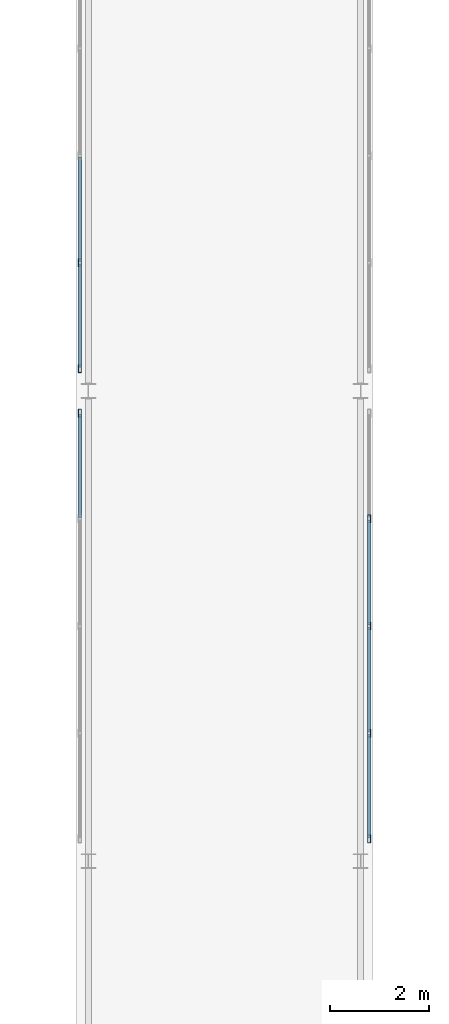
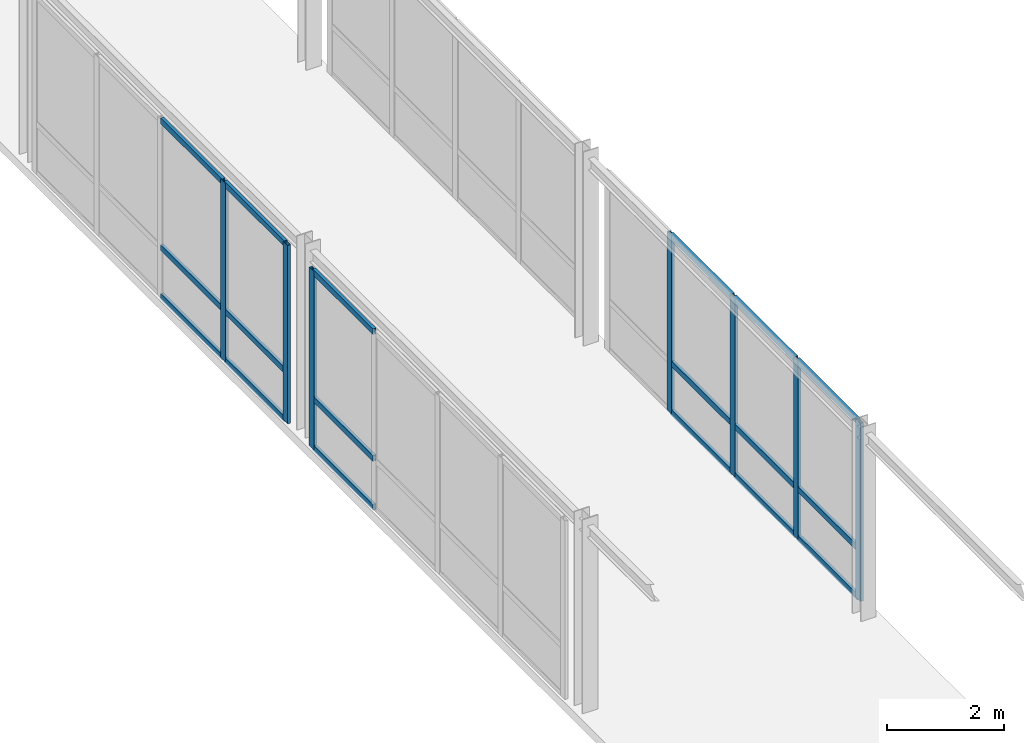
# One storey, part 42 of 165: 25 members, 3 elements without a shape of their own.
"""IFC4 building model written with IfcOpenShell, lengths in metres."""

from ifc_helpers import new_model, si_unit, direction, frame, origin, origin_2d, place, context, subcontext, project, spatial, hollow_rectangle, extrude, material, layer, layer_set, material_profile, profile_set, type_object, element, aggregate, save


model = new_model("IFC4")

# Units and contexts
model_context = context("Model", 3, precision=1e-05, world=origin(), true_north=direction((0.0, 1.0)))
body_context = subcontext(model_context, "Body", "Model", "MODEL_VIEW")
ifc_project = project(units=[si_unit("LENGTHUNIT", "METRE"), si_unit("AREAUNIT", "SQUARE_METRE"), si_unit("VOLUMEUNIT", "CUBIC_METRE"), si_unit("PLANEANGLEUNIT", "RADIAN"), si_unit("MASSUNIT", "GRAM", prefix="KILO")], contexts=[model_context])

# Site, building, storey
site_placement = place(None, origin())
site = spatial("IfcSite", under=ifc_project, at=site_placement, CompositionType="ELEMENT")
building_placement = place(site_placement, origin())
building = spatial("IfcBuilding", under=site, at=building_placement, Name="Montecoro Central Library", CompositionType="ELEMENT")
storey_placement = place(building_placement, frame((0.0, 0.0, 5.10009765625)))
storey = spatial("IfcBuildingStorey", under=building, at=storey_placement, Name="L01", CompositionType="ELEMENT", Elevation=5.10009765625)

# Curtain wall, member
ifc_material_1 = material(Name="Bronze-anodised aluminium and low-E glazing", Category="aluminium")
ifc_layer_1 = layer(ifc_material_1, 0.159912109375)
ifc_layer_set_1 = layer_set([ifc_layer_1], Name="Bronze-anodised aluminium and low-E glazing")
curtain_wall_type_1 = type_object("IfcCurtainWallType", Name="CWT-079", PredefinedType="NOTDEFINED", material=ifc_layer_set_1)
curtain_wall_1_placement = place(storey_placement, origin())
curtain_wall_1 = element("IfcCurtainWall", 1, at=curtain_wall_1_placement, inside=storey, type_object=curtain_wall_type_1, Name="BR-W-L01-CW-W1", PredefinedType="NOTDEFINED")
ifc_material_2 = material(Name="Bronze-anodised aluminium", Category="aluminium")
ifc_material_profile_1 = material_profile(ifc_material_2, hollow_rectangle(XDim=0.06005859375, YDim=0.159912109375, WallThickness=0.00390625, at=origin_2d()), Name="CWM 160x60x4.0")
ifc_profile_set_1 = profile_set([ifc_material_profile_1], Name="Bronze-anodised aluminium")
member_type_1 = type_object("IfcMemberType", Name="CWM-BRZ-60", PredefinedType="MULLION", material=ifc_profile_set_1)
member_1_placement = place(storey_placement, frame((24.8798828125, 53.949951171875, 0.0), z_axis=(0.0, 0.0, 1.0), x_axis=(-1.0, 0.0, 0.0)))
member_1 = element("IfcMember", 2, at=member_1_placement, type_object=member_type_1, Name="CW-079 mullion 5", PredefinedType="MULLION", context=body_context, shape_type="SweptSolid", body=[
    extrude(hollow_rectangle(XDim=0.06005859375, YDim=0.159912109375, WallThickness=0.00390625, at=origin_2d()), origin(), (0.0, 0.0, 1.0), 3.72998046875),
])

# Curtain wall, members
ifc_layer_2 = layer(ifc_material_1, 0.159912109375)
ifc_layer_set_2 = layer_set([ifc_layer_2], Name="Bronze-anodised aluminium and low-E glazing")
curtain_wall_type_2 = type_object("IfcCurtainWallType", Name="CWT-080", PredefinedType="NOTDEFINED", material=ifc_layer_set_2)
curtain_wall_2_placement = place(storey_placement, origin())
curtain_wall_2 = element("IfcCurtainWall", 3, at=curtain_wall_2_placement, inside=storey, type_object=curtain_wall_type_2, Name="BR-W-L01-CW-W2", PredefinedType="NOTDEFINED")
member_2_placement = place(storey_placement, frame((24.8798828125, 54.85009765625, 0.0), z_axis=(0.0, 0.0, 1.0), x_axis=(-1.0, 0.0, 0.0)))
member_2 = element("IfcMember", 4, at=member_2_placement, type_object=member_type_1, Name="CW-080 mullion 1", PredefinedType="MULLION", context=body_context, shape_type="SweptSolid", body=[
    extrude(hollow_rectangle(XDim=0.06005859375, YDim=0.159912109375, WallThickness=0.00390625, at=origin_2d()), origin(), (0.0, 0.0, 1.0), 3.72998046875),
])
member_3_placement = place(storey_placement, frame((24.8798828125, 56.985107421875, 0.0), z_axis=(0.0, 0.0, 1.0), x_axis=(-1.0, 0.0, 0.0)))
member_3 = element("IfcMember", 5, at=member_3_placement, type_object=member_type_1, Name="CW-080 mullion 2", PredefinedType="MULLION", context=body_context, shape_type="SweptSolid", body=[
    extrude(hollow_rectangle(XDim=0.06005859375, YDim=0.159912109375, WallThickness=0.00390625, at=origin_2d()), origin(), (0.0, 0.0, 1.0), 3.72998046875),
])

curtain_wall_3_placement = place(storey_placement, origin())
curtain_wall_3 = element("IfcCurtainWall", 6, at=curtain_wall_3_placement, inside=storey, type_object=curtain_wall_type_1, Name="BR-W-L01-CW-E1", PredefinedType="NOTDEFINED")
member_4_placement = place(storey_placement, frame((30.719970703125, 45.35009765625, 0.0), z_axis=(0.0, 0.0, 1.0), x_axis=(-1.0, 0.0, 0.0)))
member_4 = element("IfcMember", 7, at=member_4_placement, type_object=member_type_1, Name="CW-079 mullion 1", PredefinedType="MULLION", context=body_context, shape_type="SweptSolid", body=[
    extrude(hollow_rectangle(XDim=0.06005859375, YDim=0.159912109375, WallThickness=0.00390625, at=origin_2d()), origin(), (0.0, 0.0, 1.0), 3.72998046875),
])
member_5_placement = place(storey_placement, frame((30.719970703125, 47.485107421875, 0.0), z_axis=(0.0, 0.0, 1.0), x_axis=(-1.0, 0.0, 0.0)))
member_5 = element("IfcMember", 8, at=member_5_placement, type_object=member_type_1, Name="CW-079 mullion 2", PredefinedType="MULLION", context=body_context, shape_type="SweptSolid", body=[
    extrude(hollow_rectangle(XDim=0.06005859375, YDim=0.159912109375, WallThickness=0.00390625, at=origin_2d()), origin(), (0.0, 0.0, 1.0), 3.72998046875),
])
member_6_placement = place(storey_placement, frame((30.719970703125, 49.64990234375, 0.0), z_axis=(0.0, 0.0, 1.0), x_axis=(-1.0, 0.0, 0.0)))
member_6 = element("IfcMember", 9, at=member_6_placement, type_object=member_type_1, Name="CW-079 mullion 3", PredefinedType="MULLION", context=body_context, shape_type="SweptSolid", body=[
    extrude(hollow_rectangle(XDim=0.06005859375, YDim=0.159912109375, WallThickness=0.00390625, at=origin_2d()), origin(), (0.0, 0.0, 1.0), 3.72998046875),
])
member_7_placement = place(storey_placement, frame((30.719970703125, 51.81494140625, 0.0), z_axis=(0.0, 0.0, 1.0), x_axis=(-1.0, 0.0, 0.0)))
member_7 = element("IfcMember", 10, at=member_7_placement, type_object=member_type_1, Name="CW-079 mullion 4", PredefinedType="MULLION", context=body_context, shape_type="SweptSolid", body=[
    extrude(hollow_rectangle(XDim=0.06005859375, YDim=0.159912109375, WallThickness=0.00390625, at=origin_2d()), origin(), (0.0, 0.0, 1.0), 3.72998046875),
])

# Member
ifc_material_profile_2 = material_profile(ifc_material_2, hollow_rectangle(XDim=0.06005859375, YDim=0.1201171875, WallThickness=0.00390625, at=origin_2d()), Name="CWT 120x60x4.0")
ifc_profile_set_2 = profile_set([ifc_material_profile_2], Name="Bronze-anodised aluminium")
member_type_2 = type_object("IfcMemberType", Name="CWT-BRZ-60", PredefinedType="USERDEFINED", material=ifc_profile_set_2)
member_8_placement = place(storey_placement, frame((24.8798828125, 51.844970703125, 0.02978515625), z_axis=(0.0, 1.0, 0.0), x_axis=(-1.0, 0.0, 0.0)))
member_8 = element("IfcMember", 11, at=member_8_placement, type_object=member_type_2, Name="CW-079 transom 4.1", ObjectType="TRANSOM", PredefinedType="USERDEFINED", context=body_context, shape_type="SweptSolid", body=[
    extrude(hollow_rectangle(XDim=0.06005859375, YDim=0.1201171875, WallThickness=0.00390625, at=origin_2d()), origin(), (0.0, 0.0, 1.0), 2.074951171875),
])

member_9_placement = place(storey_placement, frame((24.8798828125, 51.844970703125, 1.0498046875), z_axis=(0.0, 1.0, 0.0), x_axis=(-1.0, 0.0, 0.0)))
member_9 = element("IfcMember", 12, at=member_9_placement, type_object=member_type_2, Name="CW-079 transom 4.2", ObjectType="TRANSOM", PredefinedType="USERDEFINED", context=body_context, shape_type="SweptSolid", body=[
    extrude(hollow_rectangle(XDim=0.06005859375, YDim=0.1201171875, WallThickness=0.00390625, at=origin_2d()), origin(), (0.0, 0.0, 1.0), 2.074951171875),
])

member_10_placement = place(storey_placement, frame((24.8798828125, 51.844970703125, 3.699951171875), z_axis=(0.0, 1.0, 0.0), x_axis=(-1.0, 0.0, 0.0)))
member_10 = element("IfcMember", 13, at=member_10_placement, type_object=member_type_2, Name="CW-079 transom 4.3", ObjectType="TRANSOM", PredefinedType="USERDEFINED", context=body_context, shape_type="SweptSolid", body=[
    extrude(hollow_rectangle(XDim=0.06005859375, YDim=0.1201171875, WallThickness=0.00390625, at=origin_2d()), origin(), (0.0, 0.0, 1.0), 2.074951171875),
])

aggregate(curtain_wall_1, [member_1, member_8, member_9, member_10])

member_11_placement = place(storey_placement, frame((24.8798828125, 54.8798828125, 0.02978515625), z_axis=(0.0, 1.0, 0.0), x_axis=(-1.0, 0.0, 0.0)))
member_11 = element("IfcMember", 14, at=member_11_placement, type_object=member_type_2, Name="CW-080 transom 1.1", ObjectType="TRANSOM", PredefinedType="USERDEFINED", context=body_context, shape_type="SweptSolid", body=[
    extrude(hollow_rectangle(XDim=0.06005859375, YDim=0.1201171875, WallThickness=0.00390625, at=origin_2d()), origin(), (0.0, 0.0, 1.0), 2.0751953125),
])

member_12_placement = place(storey_placement, frame((24.8798828125, 54.8798828125, 1.0498046875), z_axis=(0.0, 1.0, 0.0), x_axis=(-1.0, 0.0, 0.0)))
member_12 = element("IfcMember", 15, at=member_12_placement, type_object=member_type_2, Name="CW-080 transom 1.2", ObjectType="TRANSOM", PredefinedType="USERDEFINED", context=body_context, shape_type="SweptSolid", body=[
    extrude(hollow_rectangle(XDim=0.06005859375, YDim=0.1201171875, WallThickness=0.00390625, at=origin_2d()), origin(), (0.0, 0.0, 1.0), 2.0751953125),
])

member_13_placement = place(storey_placement, frame((24.8798828125, 54.8798828125, 3.699951171875), z_axis=(0.0, 1.0, 0.0), x_axis=(-1.0, 0.0, 0.0)))
member_13 = element("IfcMember", 16, at=member_13_placement, type_object=member_type_2, Name="CW-080 transom 1.3", ObjectType="TRANSOM", PredefinedType="USERDEFINED", context=body_context, shape_type="SweptSolid", body=[
    extrude(hollow_rectangle(XDim=0.06005859375, YDim=0.1201171875, WallThickness=0.00390625, at=origin_2d()), origin(), (0.0, 0.0, 1.0), 2.0751953125),
])

member_14_placement = place(storey_placement, frame((24.8798828125, 57.014892578125, 0.02978515625), z_axis=(0.0, 1.0, 0.0), x_axis=(-1.0, 0.0, 0.0)))
member_14 = element("IfcMember", 17, at=member_14_placement, type_object=member_type_2, Name="CW-080 transom 2.1", ObjectType="TRANSOM", PredefinedType="USERDEFINED", context=body_context, shape_type="SweptSolid", body=[
    extrude(hollow_rectangle(XDim=0.06005859375, YDim=0.1201171875, WallThickness=0.00390625, at=origin_2d()), origin(), (0.0, 0.0, 1.0), 2.105224609375),
])

member_15_placement = place(storey_placement, frame((24.8798828125, 57.014892578125, 1.0498046875), z_axis=(0.0, 1.0, 0.0), x_axis=(-1.0, 0.0, 0.0)))
member_15 = element("IfcMember", 18, at=member_15_placement, type_object=member_type_2, Name="CW-080 transom 2.2", ObjectType="TRANSOM", PredefinedType="USERDEFINED", context=body_context, shape_type="SweptSolid", body=[
    extrude(hollow_rectangle(XDim=0.06005859375, YDim=0.1201171875, WallThickness=0.00390625, at=origin_2d()), origin(), (0.0, 0.0, 1.0), 2.105224609375),
])

member_16_placement = place(storey_placement, frame((24.8798828125, 57.014892578125, 3.699951171875), z_axis=(0.0, 1.0, 0.0), x_axis=(-1.0, 0.0, 0.0)))
member_16 = element("IfcMember", 19, at=member_16_placement, type_object=member_type_2, Name="CW-080 transom 2.3", ObjectType="TRANSOM", PredefinedType="USERDEFINED", context=body_context, shape_type="SweptSolid", body=[
    extrude(hollow_rectangle(XDim=0.06005859375, YDim=0.1201171875, WallThickness=0.00390625, at=origin_2d()), origin(), (0.0, 0.0, 1.0), 2.105224609375),
])

aggregate(curtain_wall_2, [member_2, member_3, member_11, member_12, member_13, member_14, member_15, member_16])

member_17_placement = place(storey_placement, frame((30.719970703125, 45.3798828125, 0.02978515625), z_axis=(0.0, 1.0, 0.0), x_axis=(-1.0, 0.0, 0.0)))
member_17 = element("IfcMember", 20, at=member_17_placement, type_object=member_type_2, Name="CW-079 transom 1.1", ObjectType="TRANSOM", PredefinedType="USERDEFINED", context=body_context, shape_type="SweptSolid", body=[
    extrude(hollow_rectangle(XDim=0.06005859375, YDim=0.1201171875, WallThickness=0.00390625, at=origin_2d()), origin(), (0.0, 0.0, 1.0), 2.0751953125),
])

member_18_placement = place(storey_placement, frame((30.719970703125, 45.3798828125, 1.0498046875), z_axis=(0.0, 1.0, 0.0), x_axis=(-1.0, 0.0, 0.0)))
member_18 = element("IfcMember", 21, at=member_18_placement, type_object=member_type_2, Name="CW-079 transom 1.2", ObjectType="TRANSOM", PredefinedType="USERDEFINED", context=body_context, shape_type="SweptSolid", body=[
    extrude(hollow_rectangle(XDim=0.06005859375, YDim=0.1201171875, WallThickness=0.00390625, at=origin_2d()), origin(), (0.0, 0.0, 1.0), 2.0751953125),
])

member_19_placement = place(storey_placement, frame((30.719970703125, 45.3798828125, 3.699951171875), z_axis=(0.0, 1.0, 0.0), x_axis=(-1.0, 0.0, 0.0)))
member_19 = element("IfcMember", 22, at=member_19_placement, type_object=member_type_2, Name="CW-079 transom 1.3", ObjectType="TRANSOM", PredefinedType="USERDEFINED", context=body_context, shape_type="SweptSolid", body=[
    extrude(hollow_rectangle(XDim=0.06005859375, YDim=0.1201171875, WallThickness=0.00390625, at=origin_2d()), origin(), (0.0, 0.0, 1.0), 2.0751953125),
])

member_20_placement = place(storey_placement, frame((30.719970703125, 47.514892578125, 0.02978515625), z_axis=(0.0, 1.0, 0.0), x_axis=(-1.0, 0.0, 0.0)))
member_20 = element("IfcMember", 23, at=member_20_placement, type_object=member_type_2, Name="CW-079 transom 2.1", ObjectType="TRANSOM", PredefinedType="USERDEFINED", context=body_context, shape_type="SweptSolid", body=[
    extrude(hollow_rectangle(XDim=0.06005859375, YDim=0.1201171875, WallThickness=0.00390625, at=origin_2d()), origin(), (0.0, 0.0, 1.0), 2.105224609375),
])

member_21_placement = place(storey_placement, frame((30.719970703125, 47.514892578125, 1.0498046875), z_axis=(0.0, 1.0, 0.0), x_axis=(-1.0, 0.0, 0.0)))
member_21 = element("IfcMember", 24, at=member_21_placement, type_object=member_type_2, Name="CW-079 transom 2.2", ObjectType="TRANSOM", PredefinedType="USERDEFINED", context=body_context, shape_type="SweptSolid", body=[
    extrude(hollow_rectangle(XDim=0.06005859375, YDim=0.1201171875, WallThickness=0.00390625, at=origin_2d()), origin(), (0.0, 0.0, 1.0), 2.105224609375),
])

member_22_placement = place(storey_placement, frame((30.719970703125, 47.514892578125, 3.699951171875), z_axis=(0.0, 1.0, 0.0), x_axis=(-1.0, 0.0, 0.0)))
member_22 = element("IfcMember", 25, at=member_22_placement, type_object=member_type_2, Name="CW-079 transom 2.3", ObjectType="TRANSOM", PredefinedType="USERDEFINED", context=body_context, shape_type="SweptSolid", body=[
    extrude(hollow_rectangle(XDim=0.06005859375, YDim=0.1201171875, WallThickness=0.00390625, at=origin_2d()), origin(), (0.0, 0.0, 1.0), 2.105224609375),
])

member_23_placement = place(storey_placement, frame((30.719970703125, 49.679931640625, 0.02978515625), z_axis=(0.0, 1.0, 0.0), x_axis=(-1.0, 0.0, 0.0)))
member_23 = element("IfcMember", 26, at=member_23_placement, type_object=member_type_2, Name="CW-079 transom 3.1", ObjectType="TRANSOM", PredefinedType="USERDEFINED", context=body_context, shape_type="SweptSolid", body=[
    extrude(hollow_rectangle(XDim=0.06005859375, YDim=0.1201171875, WallThickness=0.00390625, at=origin_2d()), origin(), (0.0, 0.0, 1.0), 2.10498046875),
])

member_24_placement = place(storey_placement, frame((30.719970703125, 49.679931640625, 1.0498046875), z_axis=(0.0, 1.0, 0.0), x_axis=(-1.0, 0.0, 0.0)))
member_24 = element("IfcMember", 27, at=member_24_placement, type_object=member_type_2, Name="CW-079 transom 3.2", ObjectType="TRANSOM", PredefinedType="USERDEFINED", context=body_context, shape_type="SweptSolid", body=[
    extrude(hollow_rectangle(XDim=0.06005859375, YDim=0.1201171875, WallThickness=0.00390625, at=origin_2d()), origin(), (0.0, 0.0, 1.0), 2.10498046875),
])

member_25_placement = place(storey_placement, frame((30.719970703125, 49.679931640625, 3.699951171875), z_axis=(0.0, 1.0, 0.0), x_axis=(-1.0, 0.0, 0.0)))
member_25 = element("IfcMember", 28, at=member_25_placement, type_object=member_type_2, Name="CW-079 transom 3.3", ObjectType="TRANSOM", PredefinedType="USERDEFINED", context=body_context, shape_type="SweptSolid", body=[
    extrude(hollow_rectangle(XDim=0.06005859375, YDim=0.1201171875, WallThickness=0.00390625, at=origin_2d()), origin(), (0.0, 0.0, 1.0), 2.10498046875),
])

aggregate(curtain_wall_3, [member_4, member_5, member_6, member_7, member_17, member_18, member_19, member_20, member_21, member_22, member_23, member_24, member_25])

save(model, "model.ifc")
